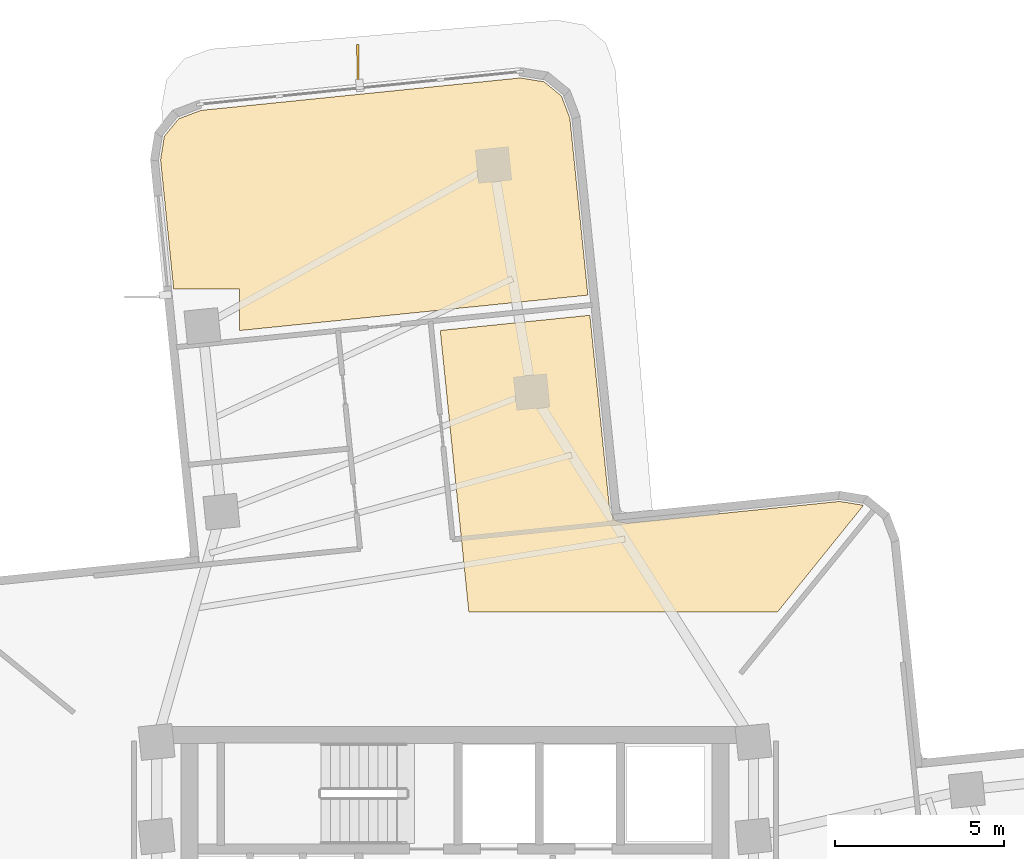
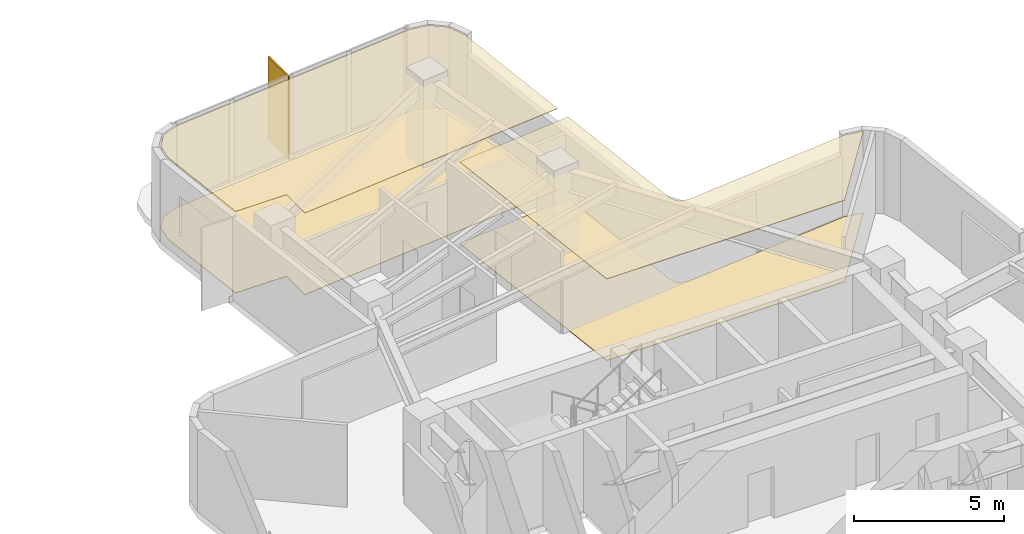
# One storey, part 14 of 14: 4 coverings, 1 shading device.
"""IFC4 building model written with IfcOpenShell, lengths in metres."""

from ifc_helpers import new_model, si_unit, direction, frame, origin, origin_2d, place, context, subcontext, project, spatial, polyline, rectangle, outline, extrude, material, layer, layer_set, type_object, element, save


model = new_model("IFC4")

# Units and contexts
model_context = context("Model", 3, precision=1e-05, world=origin(), true_north=direction((0.0, 1.0)))
body_context = subcontext(model_context, "Body", "Model", "MODEL_VIEW")
ifc_project = project(units=[si_unit("LENGTHUNIT", "METRE"), si_unit("AREAUNIT", "SQUARE_METRE"), si_unit("VOLUMEUNIT", "CUBIC_METRE"), si_unit("PLANEANGLEUNIT", "RADIAN"), si_unit("MASSUNIT", "GRAM", prefix="KILO")], contexts=[model_context])

# Site, building, storey
site_placement = place(None, origin())
site = spatial("IfcSite", under=ifc_project, at=site_placement, CompositionType="ELEMENT")
building_placement = place(site_placement, origin())
building = spatial("IfcBuilding", under=site, at=building_placement, Name="Solmarez Civic Tower", CompositionType="ELEMENT")
storey_placement = place(building_placement, frame((0.0, 0.0, 67.679931640625)))
storey = spatial("IfcBuildingStorey", under=building, at=storey_placement, Name="L17", CompositionType="ELEMENT", Elevation=67.679931640625)

# Coverings
ifc_material_1 = material(Name="Perforated Mineral-Fibre Acoustic Ceiling")
ifc_layer_1 = layer(ifc_material_1, 0.02490234375)
ifc_layer_set_1 = layer_set([ifc_layer_1], Name="Perforated Mineral-Fibre Acoustic Ceiling")
covering_type_1 = type_object("IfcCoveringType", Name="COV-CEIL-ACOUSTIC", PredefinedType="CEILING", material=ifc_layer_set_1)
covering_1_placement = place(storey_placement, frame((0.0, 0.0, 3.315185546875)))
element("IfcCovering", 1, at=covering_1_placement, inside=storey, type_object=covering_type_1, Name="L17 Suspended Acoustic Ceiling 1", PredefinedType="CEILING", context=body_context, shape_type="SweptSolid", body=[
    extrude(outline(polyline([(3.93798828125, 21.59912109375), (3.405029296875, 26.842041015625), (3.153076171875, 27.50390625), (2.635986328125, 27.926025390625), (1.93603515625, 28.0390625), (-7.534912109375, 27.076904296875), (-8.197998046875, 26.824951171875), (-8.618896484375, 26.30908203125), (-8.73193359375, 25.60888671875), (-8.343994140625, 21.779052734375), (-6.388916015625, 21.779052734375), (-6.388916015625, 20.549072265625), (3.93798828125, 21.59912109375)])), origin(), (0.0, 0.0, 1.0), 0.02490234375),
])
covering_2_placement = place(storey_placement, frame((0.0, 0.0, 3.315185546875)))
element("IfcCovering", 2, at=covering_2_placement, inside=storey, type_object=covering_type_1, Name="L17 Suspended Acoustic Ceiling 2", PredefinedType="CEILING", context=body_context, shape_type="SweptSolid", body=[
    extrude(outline(polyline([(0.408935546875, 12.199951171875), (9.556884765625, 12.199951171875), (12.10888671875, 15.364013671875), (12.10302734375, 15.367919921875), (11.404052734375, 15.48193359375), (5.136962890625, 14.844970703125), (5.114990234375, 14.843994140625), (5.10107421875, 14.843994140625), (5.070068359375, 14.845947265625), (5.05908203125, 14.847900390625), (4.888916015625, 14.875), (4.87109375, 14.87890625), (4.863037109375, 14.881103515625), (4.85595703125, 14.882080078125), (4.84912109375, 14.884033203125), (4.822021484375, 14.89404296875), (4.81494140625, 14.89697265625), (4.80810546875, 14.89990234375), (4.7890625, 14.908935546875), (4.77099609375, 14.919921875), (4.75390625, 14.93310546875), (4.748046875, 14.93798828125), (4.741943359375, 14.943115234375), (4.72705078125, 14.9560546875), (4.721923828125, 14.9609375), (4.708984375, 14.97607421875), (4.7041015625, 14.98193359375), (4.68994140625, 15.0009765625), (4.68603515625, 15.007080078125), (4.677978515625, 15.02001953125), (4.674072265625, 15.027099609375), (4.6630859375, 15.049072265625), (4.659912109375, 15.055908203125), (4.656005859375, 15.06494140625), (4.594970703125, 15.22509765625), (4.589111328125, 15.242919921875), (4.5869140625, 15.25), (4.5849609375, 15.257080078125), (4.5791015625, 15.285888671875), (4.577880859375, 15.29296875), (4.576904296875, 15.302001953125), (3.998046875, 21.001953125), (-0.43896484375, 20.550048828125), (0.408935546875, 12.199951171875)])), origin(), (0.0, 0.0, 1.0), 0.02490234375),
])
ifc_material_2 = material(Name="Polished Tropical Stone Terrazzo Flooring", Category="masonry")
ifc_layer_2 = layer(ifc_material_2, 0.02001953125)
ifc_layer_set_2 = layer_set([ifc_layer_2], Name="Polished Tropical Stone Terrazzo Flooring")
covering_type_2 = type_object("IfcCoveringType", Name="COV-FLOOR-TERRAZZO", PredefinedType="FLOORING", material=ifc_layer_set_2)
covering_3_placement = place(storey_placement, origin())
element("IfcCovering", 3, at=covering_3_placement, inside=storey, type_object=covering_type_2, Name="L17 Terrazzo Floor Finish 1", PredefinedType="FLOORING", context=body_context, shape_type="SweptSolid", body=[
    extrude(outline(polyline([(3.93798828125, 21.59912109375), (3.405029296875, 26.842041015625), (3.153076171875, 27.50390625), (2.635986328125, 27.926025390625), (1.93603515625, 28.0390625), (-7.534912109375, 27.076904296875), (-8.197998046875, 26.824951171875), (-8.618896484375, 26.30908203125), (-8.73193359375, 25.60888671875), (-8.343994140625, 21.779052734375), (-6.388916015625, 21.779052734375), (-6.388916015625, 20.549072265625), (3.93798828125, 21.59912109375)])), origin(), (0.0, 0.0, 1.0), 0.02001953125),
])
covering_4_placement = place(storey_placement, origin())
element("IfcCovering", 4, at=covering_4_placement, inside=storey, type_object=covering_type_2, Name="L17 Terrazzo Floor Finish 2", PredefinedType="FLOORING", context=body_context, shape_type="SweptSolid", body=[
    extrude(outline(polyline([(0.408935546875, 12.199951171875), (9.556884765625, 12.199951171875), (12.10888671875, 15.364013671875), (12.10302734375, 15.367919921875), (11.404052734375, 15.48193359375), (5.136962890625, 14.844970703125), (5.114990234375, 14.843994140625), (5.10107421875, 14.843994140625), (5.070068359375, 14.845947265625), (5.05908203125, 14.847900390625), (4.888916015625, 14.875), (4.87109375, 14.87890625), (4.863037109375, 14.881103515625), (4.85595703125, 14.882080078125), (4.84912109375, 14.884033203125), (4.822021484375, 14.89404296875), (4.81494140625, 14.89697265625), (4.80810546875, 14.89990234375), (4.7890625, 14.908935546875), (4.77099609375, 14.919921875), (4.75390625, 14.93310546875), (4.748046875, 14.93798828125), (4.741943359375, 14.943115234375), (4.72705078125, 14.9560546875), (4.721923828125, 14.9609375), (4.708984375, 14.97607421875), (4.7041015625, 14.98193359375), (4.68994140625, 15.0009765625), (4.68603515625, 15.007080078125), (4.677978515625, 15.02001953125), (4.674072265625, 15.027099609375), (4.6630859375, 15.049072265625), (4.659912109375, 15.055908203125), (4.656005859375, 15.06494140625), (4.594970703125, 15.22509765625), (4.589111328125, 15.242919921875), (4.5869140625, 15.25), (4.5849609375, 15.257080078125), (4.5791015625, 15.285888671875), (4.577880859375, 15.29296875), (4.576904296875, 15.302001953125), (3.998046875, 21.001953125), (-0.43896484375, 20.550048828125), (0.408935546875, 12.199951171875)])), origin(), (0.0, 0.0, 1.0), 0.02001953125),
])

# Shading device
ifc_material_3 = material(Name="Bronze Anodised Aluminium EN AW-6063 T6", Category="aluminium")
ifc_layer_3 = layer(ifc_material_3, 0.06494140625)
ifc_layer_set_3 = layer_set([ifc_layer_3], Name="Bronze Anodised Aluminium EN AW-6063 T6")
shading_device_type = type_object("IfcShadingDeviceType", Name="FIN-BRONZE-Z12", PredefinedType="USERDEFINED", material=ifc_layer_set_3)
shading_device_placement = place(storey_placement, frame((-2.881103515625, 28.35888671875, -0.039794921875), z_axis=(0.0, 0.0, 1.0), x_axis=(-0.003874621245, 0.999992493627, 0.0)))
element("IfcShadingDevice", 5, at=shading_device_placement, inside=storey, type_object=shading_device_type, Name="L17 Anodised Bronze Solar Fin FIN-L17-05", ObjectType="FIN", PredefinedType="USERDEFINED", context=body_context, shape_type="SweptSolid", body=[
    extrude(rectangle(XDim=1.35009765625, YDim=0.06494140625, at=origin_2d()), origin(), (0.0, 0.0, 1.0), 3.3798828125),
])

save(model, "model.ifc")
